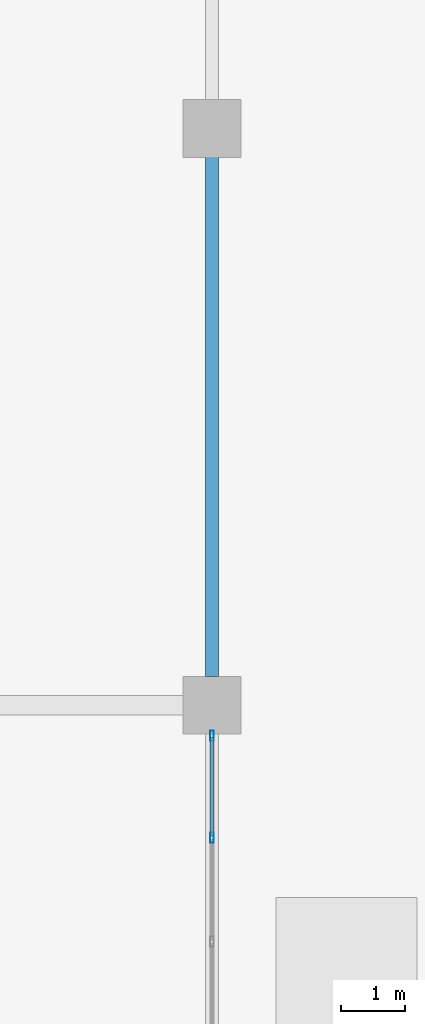
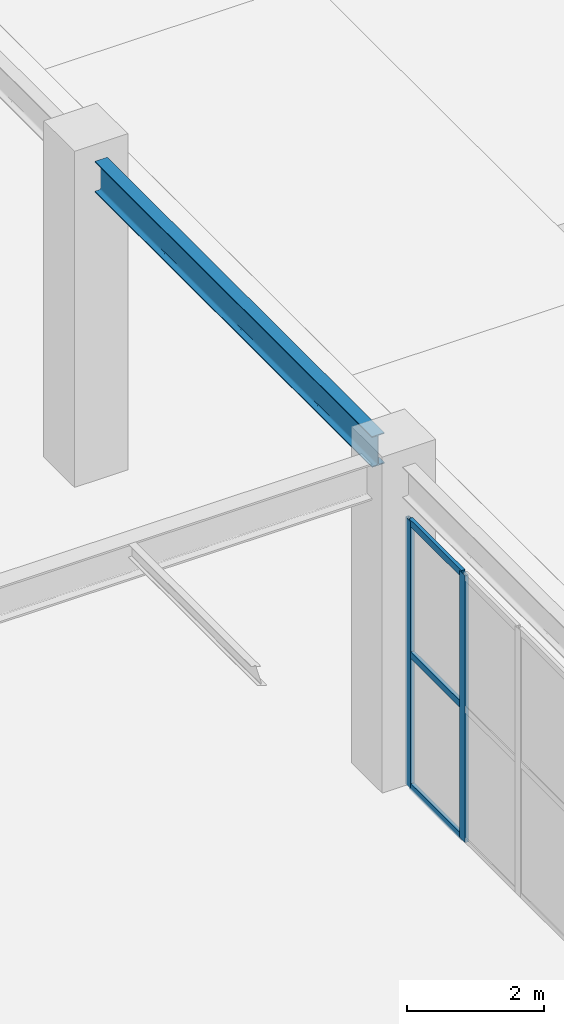
# One storey, part 26 of 91: 5 members, 1 beam, 1 element without a shape of its own.
"""IFC4 building model written with IfcOpenShell, lengths in metres."""

from ifc_helpers import new_model, si_unit, direction, frame, origin, origin_2d, place, context, subcontext, project, spatial, hollow_rectangle, i_section, extrude, material, layer, layer_set, material_profile, profile_set, type_object, element, aggregate, save


model = new_model("IFC4")

# Units and contexts
model_context = context("Model", 3, precision=1e-05, world=origin(), true_north=direction((0.0, 1.0)))
body_context = subcontext(model_context, "Body", "Model", "MODEL_VIEW")
ifc_project = project(units=[si_unit("LENGTHUNIT", "METRE"), si_unit("AREAUNIT", "SQUARE_METRE"), si_unit("VOLUMEUNIT", "CUBIC_METRE"), si_unit("PLANEANGLEUNIT", "RADIAN"), si_unit("MASSUNIT", "GRAM", prefix="KILO")], contexts=[model_context])

# Site, building, storey
site_placement = place(None, origin())
site = spatial("IfcSite", under=ifc_project, at=site_placement, CompositionType="ELEMENT")
building_placement = place(site_placement, origin())
building = spatial("IfcBuilding", under=site, at=building_placement, Name="Dornveld Trade and Exhibition Forum", CompositionType="ELEMENT")
storey_placement = place(building_placement, origin())
storey = spatial("IfcBuildingStorey", under=building, at=storey_placement, Name="L00", CompositionType="ELEMENT", Elevation=0.0)

# Beam
ifc_material_1 = material(Name="Steel S355J2", Category="steel")
ifc_material_profile_1 = material_profile(ifc_material_1, i_section(OverallWidth=0.2099609375, OverallDepth=0.550048828125, WebThickness=0.010986328125, FlangeThickness=0.01708984375, FilletRadius=0.02392578125, at=origin_2d()), Name="IPE 550")
ifc_profile_set_1 = profile_set([ifc_material_profile_1], Name="Steel S355J2")
beam_type = type_object("IfcBeamType", Name="BM-SEC-550", PredefinedType="BEAM", material=ifc_profile_set_1)
beam_placement = place(storey_placement, frame((153.0, 63.446044921875, 5.425048828125), z_axis=(0.0, 1.0, 0.0), x_axis=(-1.0, 0.0, 0.0)))
element("IfcBeam", 1, at=beam_placement, inside=storey, type_object=beam_type, Name="L00 Y-girder 744", PredefinedType="BEAM", context=body_context, shape_type="SweptSolid", body=[
    extrude(i_section(OverallWidth=0.2099609375, OverallDepth=0.550048828125, WebThickness=0.010986328125, FlangeThickness=0.01708984375, FilletRadius=0.02392578125, at=origin_2d()), origin(), (0.0, 0.0, 1.0), 8.10791015625),
])

# Curtain wall, members
ifc_material_2 = material(Name="Dark-bronze anodised aluminium and low-E glass", Category="aluminium")
ifc_layer = layer(ifc_material_2, 0.154052734375)
ifc_layer_set = layer_set([ifc_layer], Name="Dark-bronze anodised aluminium and low-E glass")
curtain_wall_type = type_object("IfcCurtainWallType", Name="CW-SYS-04", PredefinedType="USERDEFINED", material=ifc_layer_set)
curtain_wall_placement = place(storey_placement, origin())
curtain_wall = element("IfcCurtainWall", 2, at=curtain_wall_placement, inside=storey, type_object=curtain_wall_type, Name="L00 unitised curtain wall 58", ObjectType="UNITISED_CURTAIN_WALL", PredefinedType="USERDEFINED")
ifc_material_3 = material(Name="Dark-bronze anodised aluminium", Category="aluminium")
ifc_material_profile_2 = material_profile(ifc_material_3, hollow_rectangle(XDim=0.06005859375, YDim=0.159912109375, WallThickness=0.00390625, at=origin_2d()), Name="RHS 160x60x4")
ifc_profile_set_2 = profile_set([ifc_material_profile_2], Name="Dark-bronze anodised aluminium")
member_type_1 = type_object("IfcMemberType", Name="CW-MUL-160", PredefinedType="MULLION", material=ifc_profile_set_2)
member_1_placement = place(storey_placement, frame((153.0, 60.932373046875, -0.00390625), z_axis=(0.0, 0.0, 1.0), x_axis=(-1.0, 0.0, 0.0)))
member_1 = element("IfcMember", 3, at=member_1_placement, type_object=member_type_1, Name="CW-04 mullion 5", PredefinedType="MULLION", context=body_context, shape_type="SweptSolid", body=[
    extrude(hollow_rectangle(XDim=0.06005859375, YDim=0.159912109375, WallThickness=0.00390625, at=origin_2d()), origin(), (0.0, 0.0, 1.0), 4.763916015625),
])
member_2_placement = place(storey_placement, frame((153.0, 62.52392578125, -0.00390625), z_axis=(0.0, 0.0, 1.0), x_axis=(-1.0, 0.0, 0.0)))
member_2 = element("IfcMember", 4, at=member_2_placement, type_object=member_type_1, Name="CW-04 mullion 6", PredefinedType="MULLION", context=body_context, shape_type="SweptSolid", body=[
    extrude(hollow_rectangle(XDim=0.06005859375, YDim=0.159912109375, WallThickness=0.00390625, at=origin_2d()), origin(), (0.0, 0.0, 1.0), 4.763916015625),
])
ifc_material_4 = material(Name="Dark-bronze anodised aluminium", Category="aluminium")
ifc_material_profile_3 = material_profile(ifc_material_4, hollow_rectangle(XDim=0.06005859375, YDim=0.1201171875, WallThickness=0.00390625, at=origin_2d()), Name="RHS 120x60x4")
ifc_profile_set_3 = profile_set([ifc_material_profile_3], Name="Dark-bronze anodised aluminium")
member_type_2 = type_object("IfcMemberType", Name="CW-TRN-120", PredefinedType="USERDEFINED", material=ifc_profile_set_3)
member_3_placement = place(storey_placement, frame((153.0, 60.96240234375, 0.02587890625), z_axis=(0.0, 1.0, 0.0), x_axis=(-1.0, 0.0, 0.0)))
member_3 = element("IfcMember", 5, at=member_3_placement, type_object=member_type_2, Name="CW-04 transom 5.1", ObjectType="TRANSOM", PredefinedType="USERDEFINED", context=body_context, shape_type="SweptSolid", body=[
    extrude(hollow_rectangle(XDim=0.06005859375, YDim=0.1201171875, WallThickness=0.00390625, at=origin_2d()), origin(), (0.0, 0.0, 1.0), 1.531494140625),
])
member_4_placement = place(storey_placement, frame((153.0, 60.96240234375, 2.3779296875), z_axis=(0.0, 1.0, 0.0), x_axis=(-1.0, 0.0, 0.0)))
member_4 = element("IfcMember", 6, at=member_4_placement, type_object=member_type_2, Name="CW-04 transom 5.2", ObjectType="TRANSOM", PredefinedType="USERDEFINED", context=body_context, shape_type="SweptSolid", body=[
    extrude(hollow_rectangle(XDim=0.06005859375, YDim=0.1201171875, WallThickness=0.00390625, at=origin_2d()), origin(), (0.0, 0.0, 1.0), 1.531494140625),
])
member_5_placement = place(storey_placement, frame((153.0, 60.96240234375, 4.72998046875), z_axis=(0.0, 1.0, 0.0), x_axis=(-1.0, 0.0, 0.0)))
member_5 = element("IfcMember", 7, at=member_5_placement, type_object=member_type_2, Name="CW-04 transom 5.3", ObjectType="TRANSOM", PredefinedType="USERDEFINED", context=body_context, shape_type="SweptSolid", body=[
    extrude(hollow_rectangle(XDim=0.06005859375, YDim=0.1201171875, WallThickness=0.00390625, at=origin_2d()), origin(), (0.0, 0.0, 1.0), 1.531494140625),
])
aggregate(curtain_wall, [member_1, member_2, member_3, member_4, member_5])

save(model, "model.ifc")
